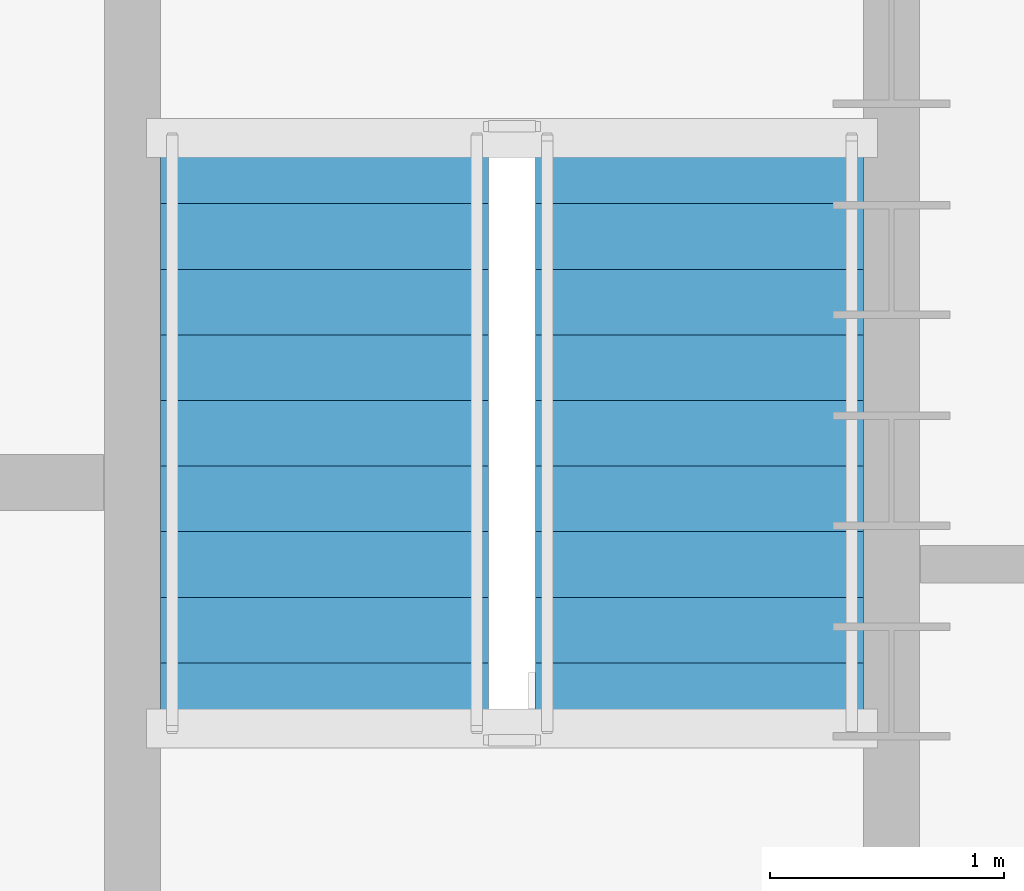
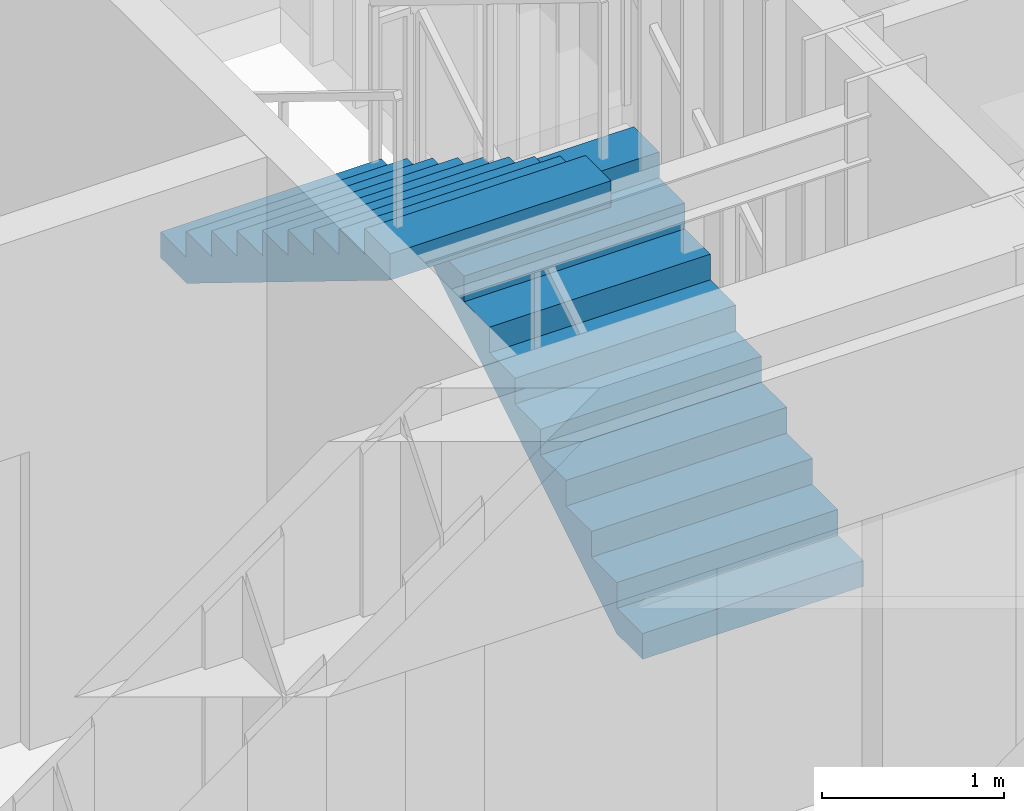
# One storey, part 9 of 13: 2 stair flights, 1 element without a shape of its own.
"""IFC4 building model written with IfcOpenShell, lengths in metres."""

from ifc_helpers import new_model, si_unit, direction, frame, origin, place, context, subcontext, project, spatial, polyline, outline, extrude, material, type_object, element, aggregate, save


model = new_model("IFC4")

# Units and contexts
model_context = context("Model", 3, precision=1e-05, world=origin(), true_north=direction((0.0, 1.0)))
body_context = subcontext(model_context, "Body", "Model", "MODEL_VIEW")
ifc_project = project(units=[si_unit("LENGTHUNIT", "METRE"), si_unit("AREAUNIT", "SQUARE_METRE"), si_unit("VOLUMEUNIT", "CUBIC_METRE"), si_unit("PLANEANGLEUNIT", "RADIAN"), si_unit("MASSUNIT", "GRAM", prefix="KILO")], contexts=[model_context])

# Site, building, storey
site_placement = place(None, origin())
site = spatial("IfcSite", under=ifc_project, at=site_placement, CompositionType="ELEMENT")
building_placement = place(site_placement, origin())
building = spatial("IfcBuilding", under=site, at=building_placement, Name="Haldorwick Loom Tower", CompositionType="ELEMENT")
storey_placement = place(building_placement, frame((0.0, 0.0, 139.10009765625)))
storey = spatial("IfcBuildingStorey", under=building, at=storey_placement, Name="L37", CompositionType="ELEMENT", Elevation=139.10009765625)

# Stair, stair flights
ifc_material = material(Name="Concrete C40 (40 MPa)", Category="concrete")
stair_type = type_object("IfcStairType", Name="STR-STR-CORE", PredefinedType="HALF_TURN_STAIR", material=ifc_material)
stair_placement = place(storey_placement, origin())
stair = element("IfcStair", 1, at=stair_placement, inside=storey, type_object=stair_type, Name="L37 Exit Stair ST-02", PredefinedType="HALF_TURN_STAIR")
stair_flight_type = type_object("IfcStairFlightType", Name="STR-STF-1250", PredefinedType="STRAIGHT", material=ifc_material)
stair_flight_1_placement = place(storey_placement, frame((49.25, 28.39990234375, 0.0), z_axis=(0.0, 0.0, 1.0), x_axis=(0.0, 1.0, 0.0)))
stair_flight_1 = element("IfcStairFlight", 2, at=stair_flight_1_placement, type_object=stair_flight_type, Name="ST-02 flight 1", NumberOfRisers=10, NumberOfTreads=9, PredefinedType="STRAIGHT", RiserHeight=0.1725, TreadLength=0.28, context=body_context, shape_type="SweptSolid", body=[
    extrude(outline(polyline([(0.0, 0.0), (0.0, 0.172607421875), (0.280029296875, 0.172607421875), (0.280029296875, 0.344970703125), (0.56005859375, 0.344970703125), (0.56005859375, 0.517578125), (0.840087890625, 0.517578125), (0.840087890625, 0.68994140625), (1.1201171875, 0.68994140625), (1.1201171875, 0.862548828125), (1.39990234375, 0.862548828125), (1.39990234375, 1.034912109375), (1.679931640625, 1.034912109375), (1.679931640625, 1.20751953125), (1.9599609375, 1.20751953125), (1.9599609375, 1.3798828125), (2.239990234375, 1.3798828125), (2.239990234375, 1.552490234375), (2.52001953125, 1.552490234375), (2.52001953125, 1.72509765625), (2.52001953125, 1.37646484375), (0.285888671875, 0.0), (0.0, 0.0)])), frame((0.0, 0.699951171875, 0.0), z_axis=(0.0, -1.0, 0.0), x_axis=(1.0, 0.0, 0.0)), (0.0, 0.0, 1.0), 1.39990234375),
])
stair_flight_2_placement = place(storey_placement, frame((47.64990234375, 30.919921875, 1.724853515625), z_axis=(0.0, 0.0, 1.0), x_axis=(0.0, -1.0, 0.0)))
stair_flight_2 = element("IfcStairFlight", 3, at=stair_flight_2_placement, type_object=stair_flight_type, Name="ST-02 flight 2", NumberOfRisers=10, NumberOfTreads=9, PredefinedType="STRAIGHT", RiserHeight=0.1725, TreadLength=0.28, context=body_context, shape_type="SweptSolid", body=[
    extrude(outline(polyline([(0.0, 0.0), (0.0, 0.172607421875), (0.280029296875, 0.172607421875), (0.280029296875, 0.344970703125), (0.56005859375, 0.344970703125), (0.56005859375, 0.517578125), (0.840087890625, 0.517578125), (0.840087890625, 0.68994140625), (1.1201171875, 0.68994140625), (1.1201171875, 0.862548828125), (1.39990234375, 0.862548828125), (1.39990234375, 1.034912109375), (1.679931640625, 1.034912109375), (1.679931640625, 1.20751953125), (1.9599609375, 1.20751953125), (1.9599609375, 1.3798828125), (2.239990234375, 1.3798828125), (2.239990234375, 1.552490234375), (2.52001953125, 1.552490234375), (2.52001953125, 1.72509765625), (2.52001953125, 1.37646484375), (0.285888671875, 0.0), (0.0, 0.0)])), frame((0.0, 0.699951171875, 0.0), z_axis=(0.0, -1.0, 0.0), x_axis=(1.0, 0.0, 0.0)), (0.0, 0.0, 1.0), 1.39990234375),
])
aggregate(stair, [stair_flight_1, stair_flight_2])

save(model, "model.ifc")
